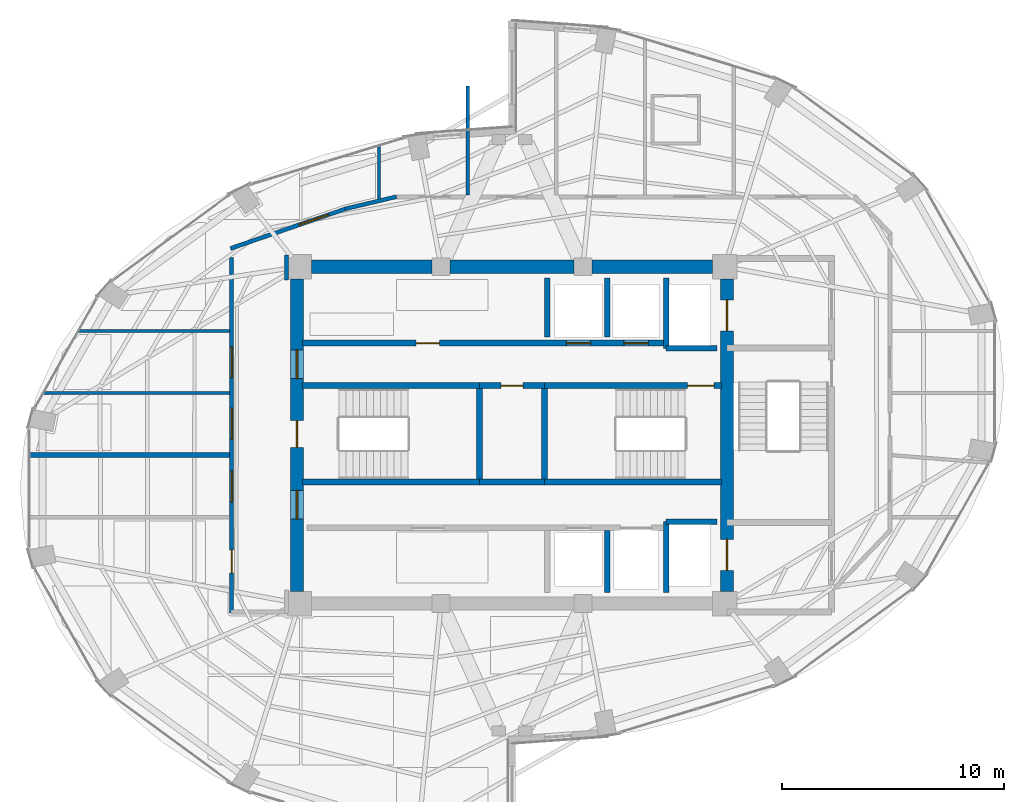
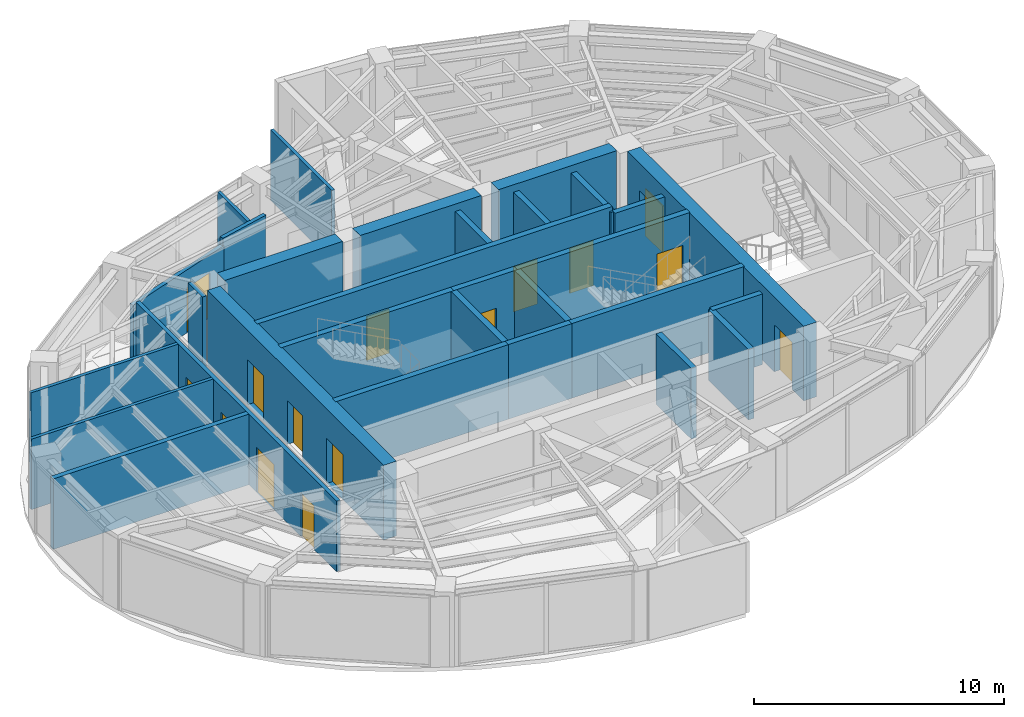
# One storey, part 19 of 23: 30 walls, 15 doors, 15 openings.
"""IFC4 building model written with IfcOpenShell, lengths in metres."""

from ifc_helpers import new_model, si_unit, direction, frame, frame_2d, origin, place, context, subcontext, project, spatial, rectangle, extrude, material, layer, layer_set, type_object, element, fill, save


model = new_model("IFC4")

# Units and contexts
model_context = context("Model", 3, precision=1e-05, world=origin(), true_north=direction((0.0, 1.0)))
body_context = subcontext(model_context, "Body", "Model", "MODEL_VIEW")
ifc_project = project(units=[si_unit("LENGTHUNIT", "METRE"), si_unit("AREAUNIT", "SQUARE_METRE"), si_unit("VOLUMEUNIT", "CUBIC_METRE"), si_unit("PLANEANGLEUNIT", "RADIAN"), si_unit("MASSUNIT", "GRAM", prefix="KILO")], contexts=[model_context])

# Site, building, storey
site_placement = place(None, origin())
site = spatial("IfcSite", under=ifc_project, at=site_placement, CompositionType="ELEMENT")
building_placement = place(site_placement, origin())
building = spatial("IfcBuilding", under=site, at=building_placement, Name="Lazwardi Medical Tower", CompositionType="ELEMENT")
storey_placement = place(building_placement, frame((0.0, 0.0, 198.47998046875)))
storey = spatial("IfcBuildingStorey", under=building, at=storey_placement, Name="L51", CompositionType="ELEMENT", Elevation=198.47998046875)

# Wall, opening, door
ifc_material_1 = material(Name="Fire-rated gypsum board on steel stud", Category="steel")
ifc_layer_1 = layer(ifc_material_1, 0.179931640625)
ifc_layer_set_1 = layer_set([ifc_layer_1], Name="Fire-rated gypsum board on steel stud")
wall_type_1 = type_object("IfcWallType", Name="WL-COR-180", PredefinedType="PARTITIONING", material=ifc_layer_set_1)
wall_1_placement = place(storey_placement, frame((23.294189453125, 36.422119140625, 0.0), z_axis=(0.0, 0.0, 1.0), x_axis=(0.945493277461, 0.325641616316, 0.0)))
wall_1 = element("IfcWall", 1, at=wall_1_placement, inside=storey, type_object=wall_type_1, Name="L51 Corridor partition 1", PredefinedType="PARTITIONING", context=body_context, shape_type="SweptSolid", body=[
    extrude(rectangle(XDim=5.5615234375, YDim=0.179931640625, at=frame_2d((2.78076171875, 0.0))), origin(), (0.0, 0.0, 1.0), 3.072998046875),
])
opening_1_placement = place(wall_1_placement, frame((3.28076171875, 0.0, 0.0)))
opening_1 = element("IfcOpeningElement", 2, at=opening_1_placement, cuts=wall_1, Name="Opening D-L51-019", PredefinedType="OPENING", context=body_context, shape_type="SweptSolid", body=[
    extrude(rectangle(XDim=1.39990234375, YDim=2.199951171875, at=frame_2d((0.699951171875, 1.10009765625))), frame((0.0, 0.099853515625, 0.0), z_axis=(0.0, -1.0, 0.0), x_axis=(1.0, 0.0, 0.0)), (0.0, 0.0, 1.0), 0.199951171875),
])
ifc_material_2 = material(Name="Anti-microbial laminate hospital leaf")
door_type_1 = type_object("IfcDoorType", Name="DR-BED-1400", OperationType="NOTDEFINED", PredefinedType="DOOR", material=ifc_material_2)
door_1_placement = place(opening_1_placement, origin())
door_1 = element("IfcDoor", 3, at=door_1_placement, inside=storey, type_object=door_type_1, Name="L51 Patient Bedroom Door 11", OperationType="SINGLE_SWING_RIGHT", OverallHeight=2.199951171875, OverallWidth=1.39990234375, PredefinedType="DOOR", context=body_context, shape_type="SweptSolid", body=[
    extrude(rectangle(XDim=1.39990234375, YDim=2.199951171875, at=frame_2d((0.699951171875, 1.10009765625))), frame((0.0, 0.02490234375, 0.0), z_axis=(0.0, -1.0, 0.0), x_axis=(1.0, 0.0, 0.0)), (0.0, 0.0, 1.0), 0.050048828125),
])
fill(opening_1, door_1)

# Walls
wall_2_placement = place(storey_placement, frame((28.475830078125, 38.2109375, 0.0), z_axis=(0.0, 0.0, 1.0), x_axis=(0.973030562203, 0.230676234189, 0.0)))
element("IfcWall", 4, at=wall_2_placement, inside=storey, type_object=wall_type_1, Name="L51 Corridor partition 2", PredefinedType="PARTITIONING", context=body_context, shape_type="SweptSolid", body=[
    extrude(rectangle(XDim=2.377197265625, YDim=0.179931640625, at=frame_2d((1.1884765625, 0.0))), origin(), (0.0, 0.0, 1.0), 3.447998046875),
])
wall_3_placement = place(storey_placement, frame((25.830078125, 36.139892578125, 0.0), z_axis=(0.0, 0.0, 1.0), x_axis=(0.0, -1.0, 0.0)))
element("IfcWall", 5, at=wall_3_placement, inside=storey, type_object=wall_type_1, Name="L51 Corridor partition 7", PredefinedType="PARTITIONING", context=body_context, shape_type="SweptSolid", body=[
    extrude(rectangle(XDim=1.14990234375, YDim=0.179931640625, at=frame_2d((0.574951171875, 0.0))), origin(), (0.0, 0.0, 1.0), 3.447998046875),
])

# Wall, openings, doors
wall_4_placement = place(storey_placement, frame((23.35009765625, 19.97998046875, 0.0), z_axis=(0.0, 0.0, 1.0), x_axis=(0.0, 1.0, 0.0)))
wall_4 = element("IfcWall", 6, at=wall_4_placement, inside=storey, type_object=wall_type_1, Name="L51 Corridor partition 10", PredefinedType="PARTITIONING", context=body_context, shape_type="SweptSolid", body=[
    extrude(rectangle(XDim=16.04248046875, YDim=0.179931640625, at=frame_2d((8.021240234375, 0.0))), origin(), (0.0, 0.0, 1.0), 3.447998046875),
])
opening_2_placement = place(wall_4_placement, frame((5.00244140625, 0.0, 0.0)))
opening_2 = element("IfcOpeningElement", 7, at=opening_2_placement, cuts=wall_4, Name="Opening D-L51-009", PredefinedType="OPENING", context=body_context, shape_type="SweptSolid", body=[
    extrude(rectangle(XDim=1.39990234375, YDim=2.199951171875, at=frame_2d((0.699951171875, 1.10009765625))), frame((0.0, 0.099853515625, 0.0), z_axis=(0.0, -1.0, 0.0), x_axis=(1.0, 0.0, 0.0)), (0.0, 0.0, 1.0), 0.199951171875),
])
opening_3_placement = place(wall_4_placement, frame((1.7939453125, 0.0, 0.0)))
opening_3 = element("IfcOpeningElement", 8, at=opening_3_placement, cuts=wall_4, Name="Opening D-L51-010", PredefinedType="OPENING", context=body_context, shape_type="SweptSolid", body=[
    extrude(rectangle(XDim=1.050048828125, YDim=2.14990234375, at=frame_2d((0.52490234375, 1.074951171875))), frame((0.0, 0.099853515625, 0.0), z_axis=(0.0, -1.0, 0.0), x_axis=(1.0, 0.0, 0.0)), (0.0, 0.0, 1.0), 0.199951171875),
])
opening_4_placement = place(wall_4_placement, frame((10.6201171875, 0.0, 0.0)))
opening_4 = element("IfcOpeningElement", 9, at=opening_4_placement, cuts=wall_4, Name="Opening D-L51-020", PredefinedType="OPENING", context=body_context, shape_type="SweptSolid", body=[
    extrude(rectangle(XDim=1.39990234375, YDim=2.199951171875, at=frame_2d((0.699951171875, 1.10009765625))), frame((0.0, 0.099853515625, 0.0), z_axis=(0.0, -1.0, 0.0), x_axis=(1.0, 0.0, 0.0)), (0.0, 0.0, 1.0), 0.199951171875),
])
opening_5_placement = place(wall_4_placement, frame((7.83740234375, 0.0, 0.0)))
opening_5 = element("IfcOpeningElement", 10, at=opening_5_placement, cuts=wall_4, Name="Opening D-L51-021", PredefinedType="OPENING", context=body_context, shape_type="SweptSolid", body=[
    extrude(rectangle(XDim=1.39990234375, YDim=2.199951171875, at=frame_2d((0.699951171875, 1.10009765625))), frame((0.0, 0.099853515625, 0.0), z_axis=(0.0, -1.0, 0.0), x_axis=(1.0, 0.0, 0.0)), (0.0, 0.0, 1.0), 0.199951171875),
])
door_2_placement = place(opening_2_placement, origin())
door_2 = element("IfcDoor", 11, at=door_2_placement, inside=storey, type_object=door_type_1, Name="L51 Inpatient Ward Door 01", OperationType="SINGLE_SWING_LEFT", OverallHeight=2.199951171875, OverallWidth=1.39990234375, PredefinedType="DOOR", context=body_context, shape_type="SweptSolid", body=[
    extrude(rectangle(XDim=1.39990234375, YDim=2.199951171875, at=frame_2d((0.699951171875, 1.10009765625))), frame((0.0, 0.02490234375, 0.0), z_axis=(0.0, -1.0, 0.0), x_axis=(1.0, 0.0, 0.0)), (0.0, 0.0, 1.0), 0.050048828125),
])
fill(opening_2, door_2)
door_3_placement = place(opening_4_placement, origin())
door_3 = element("IfcDoor", 12, at=door_3_placement, inside=storey, type_object=door_type_1, Name="L51 Outpatient Clinic Door 12", OperationType="SINGLE_SWING_LEFT", OverallHeight=2.199951171875, OverallWidth=1.39990234375, PredefinedType="DOOR", context=body_context, shape_type="SweptSolid", body=[
    extrude(rectangle(XDim=1.39990234375, YDim=2.199951171875, at=frame_2d((0.699951171875, 1.10009765625))), frame((0.0, 0.02490234375, 0.0), z_axis=(0.0, -1.0, 0.0), x_axis=(1.0, 0.0, 0.0)), (0.0, 0.0, 1.0), 0.050048828125),
])
fill(opening_4, door_3)
door_4_placement = place(opening_5_placement, origin())
door_4 = element("IfcDoor", 13, at=door_4_placement, inside=storey, type_object=door_type_1, Name="L51 Outpatient Clinic Door 13", OperationType="SINGLE_SWING_RIGHT", OverallHeight=2.199951171875, OverallWidth=1.39990234375, PredefinedType="DOOR", context=body_context, shape_type="SweptSolid", body=[
    extrude(rectangle(XDim=1.39990234375, YDim=2.199951171875, at=frame_2d((0.699951171875, 1.10009765625))), frame((0.0, 0.02490234375, 0.0), z_axis=(0.0, -1.0, 0.0), x_axis=(1.0, 0.0, 0.0)), (0.0, 0.0, 1.0), 0.050048828125),
])
fill(opening_5, door_4)
door_type_2 = type_object("IfcDoorType", Name="DR-CLN-1050", OperationType="NOTDEFINED", PredefinedType="DOOR", material=ifc_material_2)
door_5_placement = place(opening_3_placement, origin())
door_5 = element("IfcDoor", 14, at=door_5_placement, inside=storey, type_object=door_type_2, Name="L51 Clinical Specialist Office Door 02", OperationType="SINGLE_SWING_RIGHT", OverallHeight=2.14990234375, OverallWidth=1.050048828125, PredefinedType="DOOR", context=body_context, shape_type="SweptSolid", body=[
    extrude(rectangle(XDim=1.050048828125, YDim=2.14990234375, at=frame_2d((0.52490234375, 1.074951171875))), frame((0.0, 0.02490234375, 0.0), z_axis=(0.0, -1.0, 0.0), x_axis=(1.0, 0.0, 0.0)), (0.0, 0.0, 1.0), 0.050048828125),
])
fill(opening_3, door_5)

ifc_material_3 = material(Name="Concrete C60/75", Category="concrete")
ifc_layer_2 = layer(ifc_material_3, 0.60009765625)
ifc_layer_set_2 = layer_set([ifc_layer_2], Name="Concrete C60/75")
wall_type_2 = type_object("IfcWallType", Name="WL-CORE-600", PredefinedType="SHEAR", material=ifc_layer_set_2)
wall_5_placement = place(storey_placement, frame((26.300048828125, 20.949951171875, 0.0), z_axis=(0.0, 0.0, 1.0), x_axis=(0.0, 1.0, 0.0)))
wall_5 = element("IfcWall", 15, at=wall_5_placement, inside=storey, type_object=wall_type_2, Name="Core wall CW-S3 west L51", PredefinedType="SHEAR", context=body_context, shape_type="SweptSolid", body=[
    extrude(rectangle(XDim=14.10009765625, YDim=0.60009765625, at=frame_2d((7.050048828125, 0.0))), origin(), (0.0, 0.0, 1.0), 3.64794921875),
])
opening_6_placement = place(wall_5_placement, frame((6.5, 0.0, 0.0)))
opening_6 = element("IfcOpeningElement", 16, at=opening_6_placement, cuts=wall_5, Name="Opening D-L51-022", PredefinedType="OPENING", context=body_context, shape_type="SweptSolid", body=[
    extrude(rectangle(XDim=1.199951171875, YDim=2.14990234375, at=frame_2d((0.60009765625, 1.074951171875))), frame((0.0, 0.31005859375, 0.0), z_axis=(0.0, -1.0, 0.0), x_axis=(1.0, 0.0, 0.0)), (0.0, 0.0, 1.0), 0.6201171875),
])
opening_7_placement = place(wall_5_placement, frame((9.60009765625, 0.0, 0.0)))
opening_7 = element("IfcOpeningElement", 17, at=opening_7_placement, cuts=wall_5, Name="Opening D-L51-007", PredefinedType="OPENING", context=body_context, shape_type="SweptSolid", body=[
    extrude(rectangle(XDim=1.300048828125, YDim=2.199951171875, at=frame_2d((0.64990234375, 1.10009765625))), frame((0.0, 0.31005859375, 0.0), z_axis=(0.0, -1.0, 0.0), x_axis=(1.0, 0.0, 0.0)), (0.0, 0.0, 1.0), 0.6201171875),
])
opening_8_placement = place(wall_5_placement, frame((3.260009765625, 0.0, 0.0)))
opening_8 = element("IfcOpeningElement", 18, at=opening_8_placement, cuts=wall_5, Name="Opening D-L51-008", PredefinedType="OPENING", context=body_context, shape_type="SweptSolid", body=[
    extrude(rectangle(XDim=1.300048828125, YDim=2.199951171875, at=frame_2d((0.64990234375, 1.10009765625))), frame((0.0, 0.31005859375, 0.0), z_axis=(0.0, -1.0, 0.0), x_axis=(1.0, 0.0, 0.0)), (0.0, 0.0, 1.0), 0.6201171875),
])
ifc_material_4 = material(Name="Fire-rated steel leaf and frame", Category="steel")
door_type_3 = type_object("IfcDoorType", Name="DR-FFL-1300", OperationType="NOTDEFINED", PredefinedType="DOOR", material=ifc_material_4)
door_6_placement = place(opening_7_placement, origin())
door_6 = element("IfcDoor", 19, at=door_6_placement, inside=storey, type_object=door_type_3, Name="L51 North Lift Lobby Door", OperationType="SINGLE_SWING_RIGHT", OverallHeight=2.199951171875, OverallWidth=1.300048828125, PredefinedType="DOOR", context=body_context, shape_type="SweptSolid", body=[
    extrude(rectangle(XDim=1.300048828125, YDim=2.199951171875, at=frame_2d((0.64990234375, 1.10009765625))), frame((0.0, 0.02490234375, 0.0), z_axis=(0.0, -1.0, 0.0), x_axis=(1.0, 0.0, 0.0)), (0.0, 0.0, 1.0), 0.050048828125),
])
fill(opening_7, door_6)
door_7_placement = place(opening_8_placement, origin())
door_7 = element("IfcDoor", 20, at=door_7_placement, inside=storey, type_object=door_type_3, Name="L51 South Lift Lobby Door", OperationType="SINGLE_SWING_LEFT", OverallHeight=2.199951171875, OverallWidth=1.300048828125, PredefinedType="DOOR", context=body_context, shape_type="SweptSolid", body=[
    extrude(rectangle(XDim=1.300048828125, YDim=2.199951171875, at=frame_2d((0.64990234375, 1.10009765625))), frame((0.0, 0.02490234375, 0.0), z_axis=(0.0, -1.0, 0.0), x_axis=(1.0, 0.0, 0.0)), (0.0, 0.0, 1.0), 0.050048828125),
])
fill(opening_8, door_7)
door_type_4 = type_object("IfcDoorType", Name="DR-STR-1200", OperationType="NOTDEFINED", PredefinedType="DOOR", material=ifc_material_4)
door_8_placement = place(opening_6_placement, origin())
door_8 = element("IfcDoor", 21, at=door_8_placement, inside=storey, type_object=door_type_4, Name="L51 Exit Stair ST1 Door", OperationType="SINGLE_SWING_LEFT", OverallHeight=2.14990234375, OverallWidth=1.199951171875, PredefinedType="DOOR", context=body_context, shape_type="SweptSolid", body=[
    extrude(rectangle(XDim=1.199951171875, YDim=2.14990234375, at=frame_2d((0.60009765625, 1.074951171875))), frame((0.0, 0.02490234375, 0.0), z_axis=(0.0, -1.0, 0.0), x_axis=(1.0, 0.0, 0.0)), (0.0, 0.0, 1.0), 0.050048828125),
])
fill(opening_6, door_8)

wall_6_placement = place(storey_placement, frame((45.699951171875, 20.949951171875, 0.0), z_axis=(0.0, 0.0, 1.0), x_axis=(0.0, 1.0, 0.0)))
wall_6 = element("IfcWall", 22, at=wall_6_placement, inside=storey, type_object=wall_type_2, Name="Core wall CW-S3 east L51", PredefinedType="SHEAR", context=body_context, shape_type="SweptSolid", body=[
    extrude(rectangle(XDim=14.10009765625, YDim=0.60009765625, at=frame_2d((7.050048828125, 0.0))), origin(), (0.0, 0.0, 1.0), 3.64794921875),
])
opening_9_placement = place(wall_6_placement, frame((11.75, 0.0, 0.0)))
opening_9 = element("IfcOpeningElement", 23, at=opening_9_placement, cuts=wall_6, Name="Opening LD-L51-001", PredefinedType="OPENING", context=body_context, shape_type="SweptSolid", body=[
    extrude(rectangle(XDim=1.39990234375, YDim=2.300048828125, at=frame_2d((0.699951171875, 1.14990234375))), frame((0.0, 0.31005859375, 0.0), z_axis=(0.0, -1.0, 0.0), x_axis=(1.0, 0.0, 0.0)), (0.0, 0.0, 1.0), 0.6201171875),
])
opening_10_placement = place(wall_6_placement, frame((0.949951171875, 0.0, 0.0)))
opening_10 = element("IfcOpeningElement", 24, at=opening_10_placement, cuts=wall_6, Name="Opening LD-L51-002", PredefinedType="OPENING", context=body_context, shape_type="SweptSolid", body=[
    extrude(rectangle(XDim=1.39990234375, YDim=2.300048828125, at=frame_2d((0.699951171875, 1.14990234375))), frame((0.0, 0.31005859375, 0.0), z_axis=(0.0, -1.0, 0.0), x_axis=(1.0, 0.0, 0.0)), (0.0, 0.0, 1.0), 0.6201171875),
])
ifc_material_5 = material(Name="Brushed stainless steel bed-lift landing door", Category="steel")
door_type_5 = type_object("IfcDoorType", Name="DR-LFT-1400", OperationType="NOTDEFINED", PredefinedType="DOOR", material=ifc_material_5)
door_9_placement = place(opening_9_placement, origin())
door_9 = element("IfcDoor", 25, at=door_9_placement, inside=storey, type_object=door_type_5, Name="L51 Lift Landing Door FL-01", OperationType="SLIDING_TO_LEFT", OverallHeight=2.300048828125, OverallWidth=1.39990234375, PredefinedType="DOOR", context=body_context, shape_type="SweptSolid", body=[
    extrude(rectangle(XDim=1.39990234375, YDim=2.300048828125, at=frame_2d((0.699951171875, 1.14990234375))), frame((0.0, 0.02490234375, 0.0), z_axis=(0.0, -1.0, 0.0), x_axis=(1.0, 0.0, 0.0)), (0.0, 0.0, 1.0), 0.050048828125),
])
fill(opening_9, door_9)
door_10_placement = place(opening_10_placement, origin())
door_10 = element("IfcDoor", 26, at=door_10_placement, inside=storey, type_object=door_type_5, Name="L51 Lift Landing Door FL-02", OperationType="SLIDING_TO_LEFT", OverallHeight=2.300048828125, OverallWidth=1.39990234375, PredefinedType="DOOR", context=body_context, shape_type="SweptSolid", body=[
    extrude(rectangle(XDim=1.39990234375, YDim=2.300048828125, at=frame_2d((0.699951171875, 1.14990234375))), frame((0.0, 0.02490234375, 0.0), z_axis=(0.0, -1.0, 0.0), x_axis=(1.0, 0.0, 0.0)), (0.0, 0.0, 1.0), 0.050048828125),
])
fill(opening_10, door_10)

# Walls
wall_7_placement = place(storey_placement, frame((26.949951171875, 35.60009765625, 0.0), z_axis=(0.0, 0.0, 1.0), x_axis=(1.0, 0.0, 0.0)))
element("IfcWall", 27, at=wall_7_placement, inside=storey, type_object=wall_type_2, Name="Core wall CW-S3 N1 L51", PredefinedType="SHEAR", context=body_context, shape_type="SweptSolid", body=[
    extrude(rectangle(XDim=5.449951171875, YDim=0.60009765625, at=frame_2d((2.72509765625, 0.0))), origin(), (0.0, 0.0, 1.0), 3.64794921875),
])
wall_8_placement = place(storey_placement, frame((33.199951171875, 35.60009765625, 0.0), z_axis=(0.0, 0.0, 1.0), x_axis=(1.0, 0.0, 0.0)))
element("IfcWall", 28, at=wall_8_placement, inside=storey, type_object=wall_type_2, Name="Core wall CW-S3 N2 L51", PredefinedType="SHEAR", context=body_context, shape_type="SweptSolid", body=[
    extrude(rectangle(XDim=5.60009765625, YDim=0.60009765625, at=frame_2d((2.800048828125, 0.0))), origin(), (0.0, 0.0, 1.0), 3.64794921875),
])
wall_9_placement = place(storey_placement, frame((39.60009765625, 35.60009765625, 0.0), z_axis=(0.0, 0.0, 1.0), x_axis=(1.0, 0.0, 0.0)))
element("IfcWall", 29, at=wall_9_placement, inside=storey, type_object=wall_type_2, Name="Core wall CW-S3 N3 L51", PredefinedType="SHEAR", context=body_context, shape_type="SweptSolid", body=[
    extrude(rectangle(XDim=5.449951171875, YDim=0.60009765625, at=frame_2d((2.72509765625, 0.0))), origin(), (0.0, 0.0, 1.0), 3.64794921875),
])
ifc_material_6 = material(Name="Autoclaved aerated concrete blockwork", Category="masonry")
ifc_layer_3 = layer(ifc_material_6, 0.25)
ifc_layer_set_3 = layer_set([ifc_layer_3], Name="Autoclaved aerated concrete blockwork")
wall_type_3 = type_object("IfcWallType", Name="WL-SHAFT-250", PredefinedType="SOLIDWALL", material=ifc_layer_set_3)
wall_10_placement = place(storey_placement, frame((42.949951171875, 31.919921875, 0.0), z_axis=(0.0, 0.0, 1.0), x_axis=(0.0, 1.0, 0.0)))
element("IfcWall", 30, at=wall_10_placement, inside=storey, type_object=wall_type_3, Name="L51 FL-01 West shaft wall", PredefinedType="SOLIDWALL", context=body_context, shape_type="SweptSolid", body=[
    extrude(rectangle(XDim=3.18017578125, YDim=0.25, at=frame_2d((1.590087890625, 0.0))), origin(), (0.0, 0.0, 1.0), 3.447998046875),
])
wall_11_placement = place(storey_placement, frame((42.949951171875, 31.919921875, 0.0), z_axis=(0.0, 0.0, 1.0), x_axis=(1.0, 0.0, 0.0)))
element("IfcWall", 31, at=wall_11_placement, inside=storey, type_object=wall_type_3, Name="L51 FL-01 South shaft wall", PredefinedType="SOLIDWALL", context=body_context, shape_type="SweptSolid", body=[
    extrude(rectangle(XDim=2.300048828125, YDim=0.25, at=frame_2d((1.14990234375, 0.0))), origin(), (0.0, 0.0, 1.0), 3.447998046875),
])
wall_12_placement = place(storey_placement, frame((42.949951171875, 20.89990234375, 0.0), z_axis=(0.0, 0.0, 1.0), x_axis=(0.0, 1.0, 0.0)))
element("IfcWall", 32, at=wall_12_placement, inside=storey, type_object=wall_type_3, Name="L51 FL-02 West shaft wall", PredefinedType="SOLIDWALL", context=body_context, shape_type="SweptSolid", body=[
    extrude(rectangle(XDim=3.2001953125, YDim=0.25, at=frame_2d((1.60009765625, 0.0))), origin(), (0.0, 0.0, 1.0), 3.447998046875),
])
wall_13_placement = place(storey_placement, frame((42.949951171875, 24.10009765625, 0.0), z_axis=(0.0, 0.0, 1.0), x_axis=(1.0, 0.0, 0.0)))
element("IfcWall", 33, at=wall_13_placement, inside=storey, type_object=wall_type_3, Name="L51 FL-02 North shaft wall", PredefinedType="SOLIDWALL", context=body_context, shape_type="SweptSolid", body=[
    extrude(rectangle(XDim=2.300048828125, YDim=0.25, at=frame_2d((1.14990234375, 0.0))), origin(), (0.0, 0.0, 1.0), 3.447998046875),
])
for number, where, z_axis, x_axis, name in (
    (34, (37.60009765625, 32.419921875, 0.0), (0.0, 0.0, 1.0), (0.0, 1.0, 0.0), "L51 North hoistway divider"),
    (35, (40.300048828125, 32.419921875, 0.0), (0.0, 0.0, 1.0), (0.0, 1.0, 0.0), "L51 North hoistway divider"),
):
    element("IfcWall", number, at=place(storey_placement, frame(where, z_axis=z_axis, x_axis=x_axis)), inside=storey, type_object=wall_type_3, Name=name, PredefinedType="SOLIDWALL", context=body_context, shape_type="SweptSolid", body=[
        extrude(rectangle(XDim=2.68017578125, YDim=0.25, at=frame_2d((1.340087890625, 0.0))), origin(), (0.0, 0.0, 1.0), 3.447998046875),
    ])
wall_14_placement = place(storey_placement, frame((40.300048828125, 20.89990234375, 0.0), z_axis=(0.0, 0.0, 1.0), x_axis=(0.0, 1.0, 0.0)))
element("IfcWall", 36, at=wall_14_placement, inside=storey, type_object=wall_type_3, Name="L51 South hoistway divider", PredefinedType="SOLIDWALL", context=body_context, shape_type="SweptSolid", body=[
    extrude(rectangle(XDim=2.800048828125, YDim=0.25, at=frame_2d((1.39990234375, 0.0))), origin(), (0.0, 0.0, 1.0), 3.447998046875),
])
ifc_layer_4 = layer(ifc_material_1, 0.219970703125)
ifc_layer_set_4 = layer_set([ifc_layer_4], Name="Fire-rated gypsum board on steel stud")
wall_type_4 = type_object("IfcWallType", Name="WL-SMK-220", PredefinedType="PARTITIONING", material=ifc_layer_set_4)
wall_15_placement = place(storey_placement, frame((14.228271484375, 27.10009765625, 0.0), z_axis=(0.0, 0.0, 1.0), x_axis=(1.0, 0.0, 0.0)))
element("IfcWall", 37, at=wall_15_placement, inside=storey, type_object=wall_type_4, Name="L51 Room partition 2", PredefinedType="PARTITIONING", context=body_context, shape_type="SweptSolid", body=[
    extrude(rectangle(XDim=9.03173828125, YDim=0.219970703125, at=frame_2d((4.515869140625, 0.0))), origin(), (0.0, 0.0, 1.0), 3.447998046875),
])
ifc_material_7 = material(Name="Concrete C50/60", Category="concrete")
ifc_layer_5 = layer(ifc_material_7, 0.27001953125)
ifc_layer_set_5 = layer_set([ifc_layer_5], Name="Concrete C50/60")
wall_type_5 = type_object("IfcWallType", Name="WL-STR-250", PredefinedType="SHEAR", material=ifc_layer_set_5)
wall_16_placement = place(storey_placement, frame((26.550048828125, 30.235107421875, 0.0), z_axis=(0.0, 0.0, 1.0), x_axis=(1.0, 0.0, 0.0)))
element("IfcWall", 38, at=wall_16_placement, inside=storey, type_object=wall_type_5, Name="L51 ST1 North shear shaft wall SW-S1", PredefinedType="SHEAR", context=body_context, shape_type="SweptSolid", body=[
    extrude(rectangle(XDim=7.98486328125, YDim=0.27001953125, at=frame_2d((3.992431640625, 0.0))), origin(), (0.0, 0.0, 1.0), 3.64794921875),
])

# Wall, opening, door
wall_17_placement = place(storey_placement, frame((34.534912109375, 30.235107421875, 0.0), z_axis=(0.0, 0.0, 1.0), x_axis=(1.0, 0.0, 0.0)))
wall_17 = element("IfcWall", 39, at=wall_17_placement, inside=storey, type_object=wall_type_5, Name="L51 Core service North shear wall SW-S1", PredefinedType="SHEAR", context=body_context, shape_type="SweptSolid", body=[
    extrude(rectangle(XDim=2.93017578125, YDim=0.27001953125, at=frame_2d((1.465087890625, 0.0))), origin(), (0.0, 0.0, 1.0), 3.64794921875),
])
opening_11_placement = place(wall_17_placement, frame((0.965087890625, 0.0, 0.0)))
opening_11 = element("IfcOpeningElement", 40, at=opening_11_placement, cuts=wall_17, Name="Opening D-L51-001", PredefinedType="OPENING", context=body_context, shape_type="SweptSolid", body=[
    extrude(rectangle(XDim=1.0, YDim=2.10009765625, at=frame_2d((0.5, 1.050048828125))), frame((0.0, 0.14501953125, 0.0), z_axis=(0.0, -1.0, 0.0), x_axis=(1.0, 0.0, 0.0)), (0.0, 0.0, 1.0), 0.2900390625),
])
ifc_material_8 = material(Name="Moisture-resistant laminate door leaf")
door_type_6 = type_object("IfcDoorType", Name="DR-AWC-1000", OperationType="NOTDEFINED", PredefinedType="DOOR", material=ifc_material_8)
door_11_placement = place(opening_11_placement, origin())
door_11 = element("IfcDoor", 41, at=door_11_placement, inside=storey, type_object=door_type_6, Name="L51 Accessible WC Door", OperationType="SINGLE_SWING_LEFT", OverallHeight=2.10009765625, OverallWidth=1.0, PredefinedType="DOOR", context=body_context, shape_type="SweptSolid", body=[
    extrude(rectangle(XDim=1.0, YDim=2.10009765625, at=frame_2d((0.5, 1.050048828125))), frame((0.0, 0.02490234375, 0.0), z_axis=(0.0, -1.0, 0.0), x_axis=(1.0, 0.0, 0.0)), (0.0, 0.0, 1.0), 0.050048828125),
])
fill(opening_11, door_11)

wall_18_placement = place(storey_placement, frame((37.465087890625, 30.235107421875, 0.0), z_axis=(0.0, 0.0, 1.0), x_axis=(1.0, 0.0, 0.0)))
wall_18 = element("IfcWall", 42, at=wall_18_placement, inside=storey, type_object=wall_type_5, Name="L51 ST2 North shear shaft wall SW-S1", PredefinedType="SHEAR", context=body_context, shape_type="SweptSolid", body=[
    extrude(rectangle(XDim=7.98486328125, YDim=0.27001953125, at=frame_2d((3.992431640625, 0.0))), origin(), (0.0, 0.0, 1.0), 3.64794921875),
])
opening_12_placement = place(wall_18_placement, frame((6.455078125, 0.0, 0.0)))
opening_12 = element("IfcOpeningElement", 43, at=opening_12_placement, cuts=wall_18, Name="Opening D-L51-023", PredefinedType="OPENING", context=body_context, shape_type="SweptSolid", body=[
    extrude(rectangle(XDim=1.199951171875, YDim=2.14990234375, at=frame_2d((0.60009765625, 1.074951171875))), frame((0.0, 0.14501953125, 0.0), z_axis=(0.0, -1.0, 0.0), x_axis=(1.0, 0.0, 0.0)), (0.0, 0.0, 1.0), 0.2900390625),
])
door_12_placement = place(opening_12_placement, origin())
door_12 = element("IfcDoor", 44, at=door_12_placement, inside=storey, type_object=door_type_4, Name="L51 Exit Stair ST2 Door", OperationType="SINGLE_SWING_RIGHT", OverallHeight=2.14990234375, OverallWidth=1.199951171875, PredefinedType="DOOR", context=body_context, shape_type="SweptSolid", body=[
    extrude(rectangle(XDim=1.199951171875, YDim=2.14990234375, at=frame_2d((0.60009765625, 1.074951171875))), frame((0.0, 0.02490234375, 0.0), z_axis=(0.0, -1.0, 0.0), x_axis=(1.0, 0.0, 0.0)), (0.0, 0.0, 1.0), 0.050048828125),
])
fill(opening_12, door_12)

# Walls
wall_19_placement = place(storey_placement, frame((26.550048828125, 25.885009765625, 0.0), z_axis=(0.0, 0.0, 1.0), x_axis=(1.0, 0.0, 0.0)))
element("IfcWall", 45, at=wall_19_placement, inside=storey, type_object=wall_type_5, Name="L51 ST1 South shear shaft wall SW-S1", PredefinedType="SHEAR", context=body_context, shape_type="SweptSolid", body=[
    extrude(rectangle(XDim=7.98486328125, YDim=0.27001953125, at=frame_2d((3.992431640625, 0.0))), origin(), (0.0, 0.0, 1.0), 3.64794921875),
])
wall_20_placement = place(storey_placement, frame((34.534912109375, 25.885009765625, 0.0), z_axis=(0.0, 0.0, 1.0), x_axis=(1.0, 0.0, 0.0)))
element("IfcWall", 46, at=wall_20_placement, inside=storey, type_object=wall_type_5, Name="L51 Core service South shear wall SW-S1", PredefinedType="SHEAR", context=body_context, shape_type="SweptSolid", body=[
    extrude(rectangle(XDim=2.93017578125, YDim=0.27001953125, at=frame_2d((1.465087890625, 0.0))), origin(), (0.0, 0.0, 1.0), 3.64794921875),
])
wall_21_placement = place(storey_placement, frame((37.465087890625, 25.885009765625, 0.0), z_axis=(0.0, 0.0, 1.0), x_axis=(1.0, 0.0, 0.0)))
element("IfcWall", 47, at=wall_21_placement, inside=storey, type_object=wall_type_5, Name="L51 ST2 South shear shaft wall SW-S1", PredefinedType="SHEAR", context=body_context, shape_type="SweptSolid", body=[
    extrude(rectangle(XDim=7.98486328125, YDim=0.27001953125, at=frame_2d((3.992431640625, 0.0))), origin(), (0.0, 0.0, 1.0), 3.64794921875),
])
for number, where, z_axis, x_axis, name in (
    (48, (34.534912109375, 26.02001953125, 0.0), (0.0, 0.0, 1.0), (0.0, 1.0, 0.0), "L51 ST1 East shear shaft wall SW-S1"),
    (49, (37.465087890625, 26.02001953125, 0.0), (0.0, 0.0, 1.0), (0.0, 1.0, 0.0), "L51 ST2 West shear shaft wall SW-S1"),
):
    element("IfcWall", number, at=place(storey_placement, frame(where, z_axis=z_axis, x_axis=x_axis)), inside=storey, type_object=wall_type_5, Name=name, PredefinedType="SHEAR", context=body_context, shape_type="SweptSolid", body=[
        extrude(rectangle(XDim=4.080078125, YDim=0.27001953125, at=frame_2d((2.0400390625, 0.0))), origin(), (0.0, 0.0, 1.0), 3.64794921875),
    ])

# Wall, openings, doors
wall_22_placement = place(storey_placement, frame((26.550048828125, 32.14990234375, 0.0), z_axis=(0.0, 0.0, 1.0), x_axis=(1.0, 0.0, 0.0)))
wall_22 = element("IfcWall", 50, at=wall_22_placement, inside=storey, type_object=wall_type_5, Name="L51 North lift bank shear wall SW-S1", PredefinedType="SHEAR", context=body_context, shape_type="SweptSolid", body=[
    extrude(rectangle(XDim=16.39990234375, YDim=0.27001953125, at=frame_2d((8.199951171875, 0.0))), origin(), (0.0, 0.0, 1.0), 3.64794921875),
])
opening_13_placement = place(wall_22_placement, frame((5.125, 0.0, 0.0)))
opening_13 = element("IfcOpeningElement", 51, at=opening_13_placement, cuts=wall_22, Name="Opening D-L51-003", PredefinedType="OPENING", context=body_context, shape_type="SweptSolid", body=[
    extrude(rectangle(XDim=1.050048828125, YDim=2.14990234375, at=frame_2d((0.52490234375, 1.074951171875))), frame((0.0, 0.14501953125, 0.0), z_axis=(0.0, -1.0, 0.0), x_axis=(1.0, 0.0, 0.0)), (0.0, 0.0, 1.0), 0.2900390625),
])
opening_14_placement = place(wall_22_placement, frame((11.89990234375, 0.0, 0.0)))
opening_14 = element("IfcOpeningElement", 52, at=opening_14_placement, cuts=wall_22, Name="Opening LD-L51-004", PredefinedType="OPENING", context=body_context, shape_type="SweptSolid", body=[
    extrude(rectangle(XDim=1.10009765625, YDim=2.199951171875, at=frame_2d((0.550048828125, 1.10009765625))), frame((0.0, 0.14501953125, 0.0), z_axis=(0.0, -1.0, 0.0), x_axis=(1.0, 0.0, 0.0)), (0.0, 0.0, 1.0), 0.2900390625),
])
opening_15_placement = place(wall_22_placement, frame((14.5, 0.0, 0.0)))
opening_15 = element("IfcOpeningElement", 53, at=opening_15_placement, cuts=wall_22, Name="Opening LD-L51-005", PredefinedType="OPENING", context=body_context, shape_type="SweptSolid", body=[
    extrude(rectangle(XDim=1.10009765625, YDim=2.199951171875, at=frame_2d((0.550048828125, 1.10009765625))), frame((0.0, 0.14501953125, 0.0), z_axis=(0.0, -1.0, 0.0), x_axis=(1.0, 0.0, 0.0)), (0.0, 0.0, 1.0), 0.2900390625),
])
door_13_placement = place(opening_13_placement, origin())
door_13 = element("IfcDoor", 54, at=door_13_placement, inside=storey, type_object=door_type_2, Name="L51 Core North Suite Door", OperationType="SINGLE_SWING_RIGHT", OverallHeight=2.14990234375, OverallWidth=1.050048828125, PredefinedType="DOOR", context=body_context, shape_type="SweptSolid", body=[
    extrude(rectangle(XDim=1.050048828125, YDim=2.14990234375, at=frame_2d((0.52490234375, 1.074951171875))), frame((0.0, 0.02490234375, 0.0), z_axis=(0.0, -1.0, 0.0), x_axis=(1.0, 0.0, 0.0)), (0.0, 0.0, 1.0), 0.050048828125),
])
fill(opening_13, door_13)
ifc_material_9 = material(Name="Brushed bronze stainless steel landing door", Category="steel")
door_type_7 = type_object("IfcDoorType", Name="DR-LFT-1100", OperationType="NOTDEFINED", PredefinedType="DOOR", material=ifc_material_9)
door_14_placement = place(opening_14_placement, origin())
door_14 = element("IfcDoor", 55, at=door_14_placement, inside=storey, type_object=door_type_7, Name="L51 Lift Landing Door PL-09", OperationType="SLIDING_TO_LEFT", OverallHeight=2.199951171875, OverallWidth=1.10009765625, PredefinedType="DOOR", context=body_context, shape_type="SweptSolid", body=[
    extrude(rectangle(XDim=1.10009765625, YDim=2.199951171875, at=frame_2d((0.550048828125, 1.10009765625))), frame((0.0, 0.02490234375, 0.0), z_axis=(0.0, -1.0, 0.0), x_axis=(1.0, 0.0, 0.0)), (0.0, 0.0, 1.0), 0.050048828125),
])
fill(opening_14, door_14)
door_15_placement = place(opening_15_placement, origin())
door_15 = element("IfcDoor", 56, at=door_15_placement, inside=storey, type_object=door_type_7, Name="L51 Lift Landing Door PL-10", OperationType="SLIDING_TO_LEFT", OverallHeight=2.199951171875, OverallWidth=1.10009765625, PredefinedType="DOOR", context=body_context, shape_type="SweptSolid", body=[
    extrude(rectangle(XDim=1.10009765625, YDim=2.199951171875, at=frame_2d((0.550048828125, 1.10009765625))), frame((0.0, 0.02490234375, 0.0), z_axis=(0.0, -1.0, 0.0), x_axis=(1.0, 0.0, 0.0)), (0.0, 0.0, 1.0), 0.050048828125),
])
fill(opening_15, door_15)

# Walls
ifc_material_10 = material(Name="Acoustic gypsum board partition")
ifc_layer_6 = layer(ifc_material_10, 0.14990234375)
ifc_layer_set_6 = layer_set([ifc_layer_6], Name="Acoustic gypsum board partition")
wall_type_6 = type_object("IfcWallType", Name="WL-WRD-150", PredefinedType="PARTITIONING", material=ifc_layer_set_6)
wall_23_placement = place(storey_placement, frame((14.86083984375, 29.89990234375, 0.0), z_axis=(0.0, 0.0, 1.0), x_axis=(1.0, 0.0, 0.0)))
element("IfcWall", 57, at=wall_23_placement, inside=storey, type_object=wall_type_6, Name="L51 Room partition 3", PredefinedType="PARTITIONING", context=body_context, shape_type="SweptSolid", body=[
    extrude(rectangle(XDim=8.399169921875, YDim=0.14990234375, at=frame_2d((4.19970703125, 0.0))), origin(), (0.0, 0.0, 1.0), 3.447998046875),
])
wall_24_placement = place(storey_placement, frame((16.44287109375, 32.699951171875, 0.0), z_axis=(0.0, 0.0, 1.0), x_axis=(1.0, 0.0, 0.0)))
element("IfcWall", 58, at=wall_24_placement, inside=storey, type_object=wall_type_6, Name="L51 Room partition 4", PredefinedType="PARTITIONING", context=body_context, shape_type="SweptSolid", body=[
    extrude(rectangle(XDim=6.817138671875, YDim=0.14990234375, at=frame_2d((3.40869140625, 0.0))), origin(), (0.0, 0.0, 1.0), 3.447998046875),
])
wall_25_placement = place(storey_placement, frame((30.0, 38.663818359375, 0.0), z_axis=(0.0, 0.0, 1.0), x_axis=(0.0, 1.0, 0.0)))
element("IfcWall", 59, at=wall_25_placement, inside=storey, type_object=wall_type_6, Name="L51 Room partition 9", PredefinedType="PARTITIONING", context=body_context, shape_type="SweptSolid", body=[
    extrude(rectangle(XDim=2.384033203125, YDim=0.14990234375, at=frame_2d((1.19189453125, 0.0))), origin(), (0.0, 0.0, 1.0), 3.447998046875),
])
wall_26_placement = place(storey_placement, frame((34.0, 38.840087890625, 0.0), z_axis=(0.0, 0.0, 1.0), x_axis=(0.0, 1.0, 0.0)))
element("IfcWall", 60, at=wall_26_placement, inside=storey, type_object=wall_type_6, Name="L51 Room partition 10", PredefinedType="PARTITIONING", context=body_context, shape_type="SweptSolid", body=[
    extrude(rectangle(XDim=4.904052734375, YDim=0.14990234375, at=frame_2d((2.4521484375, 0.0))), origin(), (0.0, 0.0, 1.0), 3.447998046875),
])

save(model, "model.ifc")
